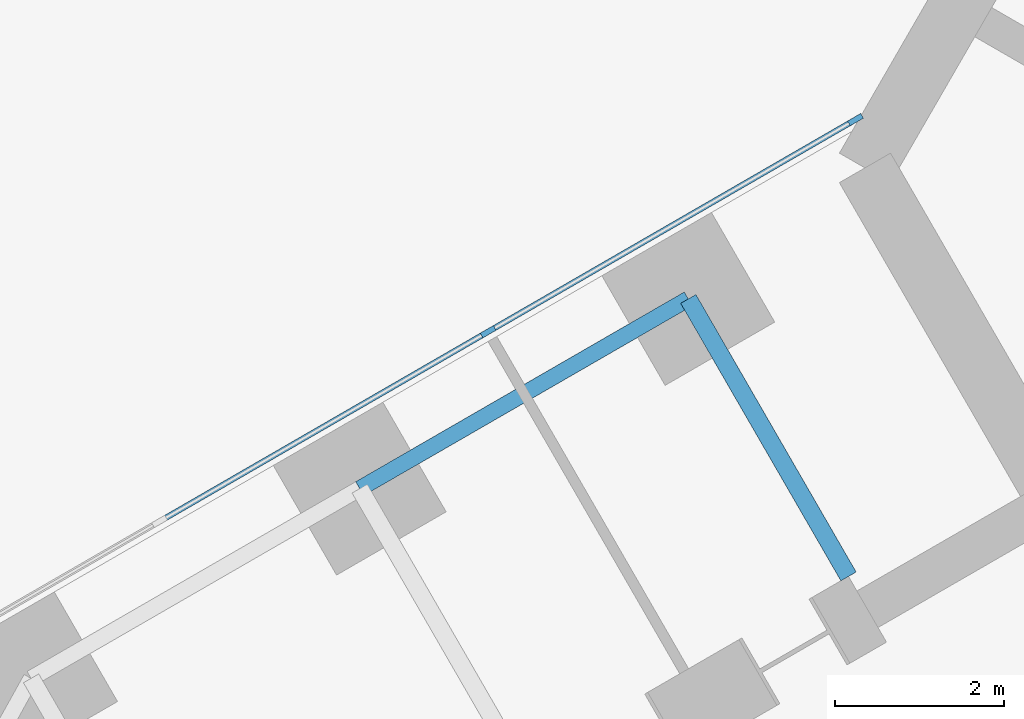
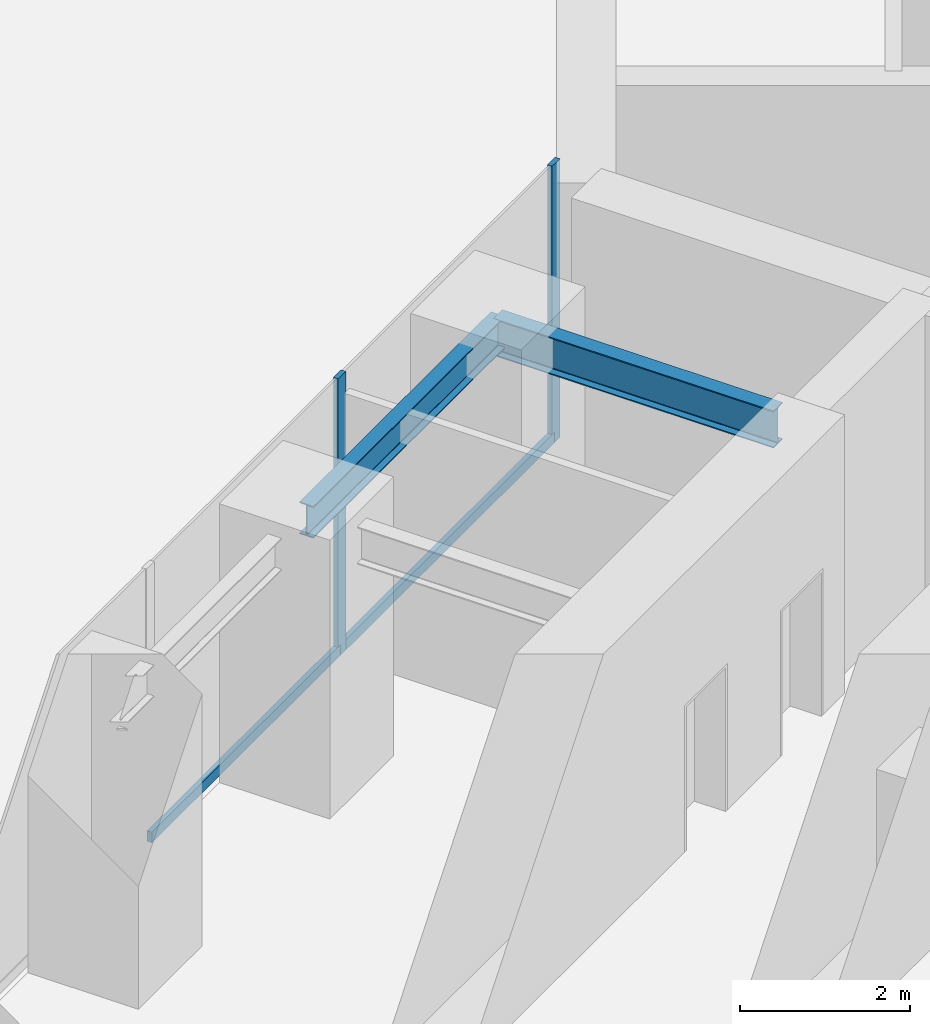
# One storey, part 7 of 23: 4 members, 2 beams, 1 element without a shape of its own.
"""IFC4 building model written with IfcOpenShell, lengths in metres."""

from ifc_helpers import new_model, si_unit, direction, frame, origin, origin_2d, place, context, subcontext, project, spatial, rectangle, i_section, extrude, material, material_profile, profile_set, type_object, element, aggregate, save


model = new_model("IFC4")

# Units and contexts
model_context = context("Model", 3, precision=1e-05, world=origin(), true_north=direction((0.0, 1.0)))
body_context = subcontext(model_context, "Body", "Model", "MODEL_VIEW")
ifc_project = project(units=[si_unit("LENGTHUNIT", "METRE"), si_unit("AREAUNIT", "SQUARE_METRE"), si_unit("VOLUMEUNIT", "CUBIC_METRE"), si_unit("PLANEANGLEUNIT", "RADIAN"), si_unit("MASSUNIT", "GRAM", prefix="KILO")], contexts=[model_context])

# Site, building, storey
site_placement = place(None, origin())
site = spatial("IfcSite", under=ifc_project, at=site_placement, CompositionType="ELEMENT")
building_placement = place(site_placement, origin())
building = spatial("IfcBuilding", under=site, at=building_placement, Name="Upepo Twin Towers", CompositionType="ELEMENT")
storey_placement = place(building_placement, frame((0.0, 0.0, 20.5)))
storey = spatial("IfcBuildingStorey", under=building, at=storey_placement, Name="L04", CompositionType="ELEMENT", Elevation=20.5)

# Beams
ifc_material_1 = material(Name="Steel S355", Category="steel")
ifc_material_profile_1 = material_profile(ifc_material_1, i_section(OverallWidth=0.1904296875, OverallDepth=0.45703125, WebThickness=0.009033203125, FlangeThickness=0.014404296875, FilletRadius=0.01025390625, at=origin_2d()), Name="UB 457x191x74")
ifc_profile_set_1 = profile_set([ifc_material_profile_1], Name="Steel S355")
beam_type_1 = type_object("IfcBeamType", Name="Beam UB 457x191x74", PredefinedType="BEAM", material=ifc_profile_set_1)
beam_1_placement = place(storey_placement, frame((43.80859375, -19.553955078125, 3.571533203125), z_axis=(-0.866017533419, -0.500013631625, 0.0), x_axis=(0.500013631625, -0.866017533419, 0.0)))
element("IfcBeam", 1, at=beam_1_placement, inside=storey, type_object=beam_type_1, Name="T2 edge beam BR 13.5-18.0", PredefinedType="BEAM", context=body_context, shape_type="SweptSolid", body=[
    extrude(i_section(OverallWidth=0.1904296875, OverallDepth=0.45703125, WebThickness=0.009033203125, FlangeThickness=0.014404296875, FilletRadius=0.01025390625, at=origin_2d()), origin(), (0.0, 0.0, 1.0), 4.499755859375),
])
ifc_material_2 = material(Name="Steel S355", Category="steel")
ifc_material_profile_2 = material_profile(ifc_material_2, i_section(OverallWidth=0.209228515625, OverallDepth=0.533203125, WebThickness=0.010009765625, FlangeThickness=0.015625, FilletRadius=0.0126953125, at=origin_2d()), Name="UB 533x210x92")
ifc_profile_set_2 = profile_set([ifc_material_profile_2], Name="Steel S355")
beam_type_2 = type_object("IfcBeamType", Name="Beam UB 533x210x92", PredefinedType="BEAM", material=ifc_profile_set_2)
beam_2_placement = place(storey_placement, frame((43.80859375, -19.553955078125, 3.533447265625), z_axis=(0.500043160704, -0.866000483506, 0.0), x_axis=(0.866000483506, 0.500043160704, 0.0)))
element("IfcBeam", 2, at=beam_2_placement, inside=storey, type_object=beam_type_2, Name="T2 girder BR at 13.5", PredefinedType="BEAM", context=body_context, shape_type="SweptSolid", body=[
    extrude(i_section(OverallWidth=0.209228515625, OverallDepth=0.533203125, WebThickness=0.010009765625, FlangeThickness=0.015625, FilletRadius=0.0126953125, at=origin_2d()), origin(), (0.0, 0.0, 1.0), 3.800048828125),
])

# Curtain wall, members
ifc_material_3 = material(Name="Aluminium and fritted glass", Category="aluminium")
curtain_wall_type = type_object("IfcCurtainWallType", Name="Tower curtain wall TW1, fritted glass", PredefinedType="NOTDEFINED", material=ifc_material_3)
curtain_wall_placement = place(storey_placement, origin())
curtain_wall = element("IfcCurtainWall", 3, at=curtain_wall_placement, inside=storey, type_object=curtain_wall_type, Name="T2 L04 wing B flank R curtain wall", PredefinedType="NOTDEFINED")
ifc_material_4 = material(Name="Aluminium mullion", Category="aluminium")
ifc_material_profile_3 = material_profile(ifc_material_4, rectangle(XDim=0.06494140625, YDim=0.179931640625, at=origin_2d()), Name="MULLION 65x180")
ifc_profile_set_3 = profile_set([ifc_material_profile_3], Name="Aluminium mullion")
member_type_1 = type_object("IfcMemberType", Name="Mullion 65x180 TW1", PredefinedType="MULLION", material=ifc_profile_set_3)
member_1_placement = place(storey_placement, frame((41.43505859375, -19.942626953125, 0.0), z_axis=(0.0, 0.0, 1.0), x_axis=(-0.500000024426, 0.866025389682, 0.0)))
member_1 = element("IfcMember", 4, at=member_1_placement, type_object=member_type_1, Name="T2 L04 wing B flank R curtain wall mullion 3", PredefinedType="MULLION", context=body_context, shape_type="SweptSolid", body=[
    extrude(rectangle(XDim=0.06494140625, YDim=0.179931640625, at=origin_2d()), origin(), (0.0, 0.0, 1.0), 4.0),
])
member_2_placement = place(storey_placement, frame((45.79150390625, -17.427490234375, 0.0), z_axis=(0.0, 0.0, 1.0), x_axis=(-0.500000024426, 0.866025389682, 0.0)))
member_2 = element("IfcMember", 5, at=member_2_placement, type_object=member_type_1, Name="T2 L04 wing B flank R curtain wall mullion 4", PredefinedType="MULLION", context=body_context, shape_type="SweptSolid", body=[
    extrude(rectangle(XDim=0.06494140625, YDim=0.179931640625, at=origin_2d()), origin(), (0.0, 0.0, 1.0), 4.0),
])
ifc_material_5 = material(Name="Aluminium transom", Category="aluminium")
ifc_material_profile_4 = material_profile(ifc_material_5, rectangle(XDim=0.06494140625, YDim=0.14990234375, at=origin_2d()), Name="TRANSOM 65x150")
ifc_profile_set_4 = profile_set([ifc_material_profile_4], Name="Aluminium transom")
member_type_2 = type_object("IfcMemberType", Name="Transom 65x150 TW1", PredefinedType="USERDEFINED", material=ifc_profile_set_4)
member_3_placement = place(storey_placement, frame((37.566162109375, -22.176513671875, 0.074951171875), z_axis=(0.866022410713, 0.500005184116, 0.0), x_axis=(-0.500005184116, 0.866022410713, 0.0)))
member_3 = element("IfcMember", 6, at=member_3_placement, type_object=member_type_2, Name="T2 L04 wing B flank R curtain wall transom 2", ObjectType="TRANSOM", PredefinedType="USERDEFINED", context=body_context, shape_type="SweptSolid", body=[
    extrude(rectangle(XDim=0.06494140625, YDim=0.14990234375, at=origin_2d()), origin(), (0.0, 0.0, 1.0), 4.43505859375),
])
member_4_placement = place(storey_placement, frame((41.463134765625, -19.926513671875, 0.074951171875), z_axis=(0.866034933967, 0.499983492876, 0.0), x_axis=(-0.499983492876, 0.866034933967, 0.0)))
member_4 = element("IfcMember", 7, at=member_4_placement, type_object=member_type_2, Name="T2 L04 wing B flank R curtain wall transom 3", ObjectType="TRANSOM", PredefinedType="USERDEFINED", context=body_context, shape_type="SweptSolid", body=[
    extrude(rectangle(XDim=0.06494140625, YDim=0.14990234375, at=origin_2d()), origin(), (0.0, 0.0, 1.0), 4.965576171875),
])
aggregate(curtain_wall, [member_1, member_2, member_3, member_4])

save(model, "model.ifc")
